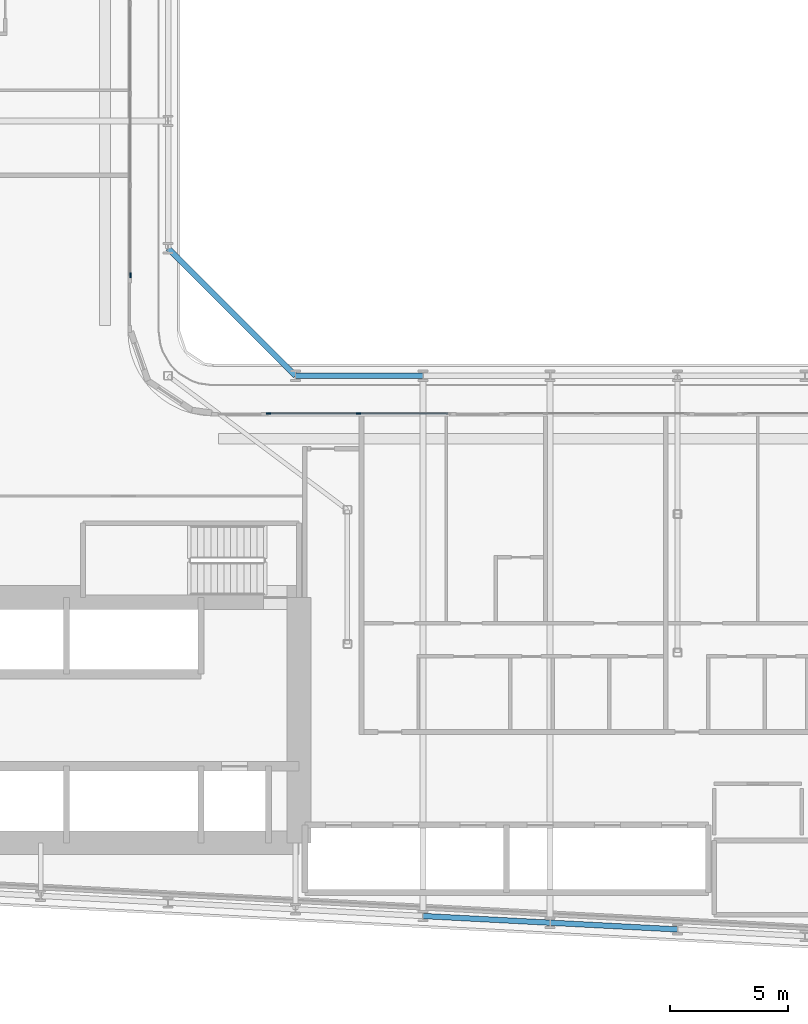
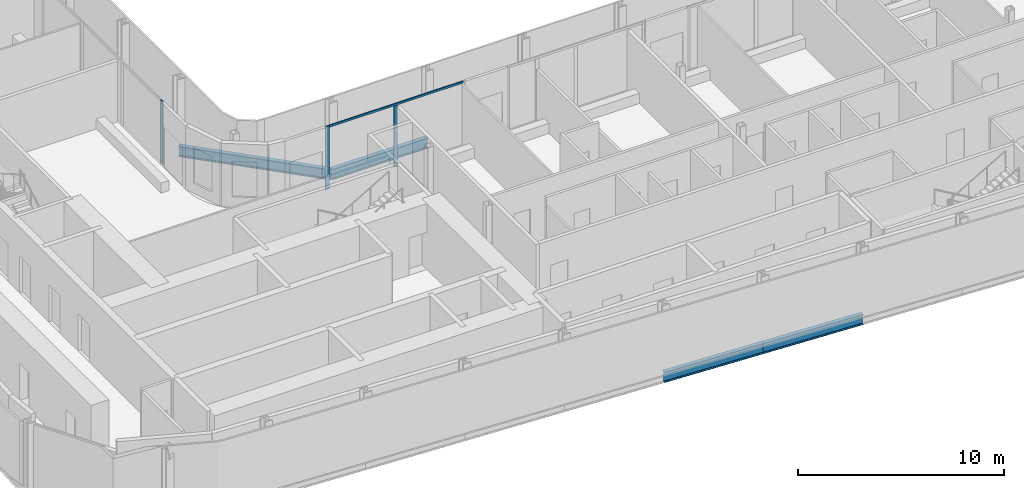
# One storey, part 4 of 27: 4 beams, 4 members, 2 elements without a shape of their own.
"""IFC4 building model written with IfcOpenShell, lengths in metres."""

from ifc_helpers import new_model, si_unit, direction, frame, origin, origin_2d, place, context, subcontext, project, spatial, rectangle, i_section, extrude, material, layer, layer_set, material_profile, profile_set, type_object, element, aggregate, save


model = new_model("IFC4")

# Units and contexts
model_context = context("Model", 3, precision=1e-05, world=origin(), true_north=direction((0.0, 1.0)))
body_context = subcontext(model_context, "Body", "Model", "MODEL_VIEW")
ifc_project = project(units=[si_unit("LENGTHUNIT", "METRE"), si_unit("AREAUNIT", "SQUARE_METRE"), si_unit("VOLUMEUNIT", "CUBIC_METRE"), si_unit("PLANEANGLEUNIT", "RADIAN"), si_unit("MASSUNIT", "GRAM", prefix="KILO")], contexts=[model_context])

# Site, building, storey
site_placement = place(None, origin())
site = spatial("IfcSite", under=ifc_project, at=site_placement, CompositionType="ELEMENT")
building_placement = place(site_placement, origin())
building = spatial("IfcBuilding", under=site, at=building_placement, Name="Kheshtan School and Residences Tower", CompositionType="ELEMENT")
storey_placement = place(building_placement, frame((0.0, 0.0, 53.89990234375)))
storey = spatial("IfcBuildingStorey", under=building, at=storey_placement, Name="L12", CompositionType="ELEMENT", Elevation=53.89990234375)

# Beams
ifc_material_1 = material(Name="Steel ASTM A992 Grade 50", Category="steel")
ifc_material_profile_1 = material_profile(ifc_material_1, i_section(OverallWidth=0.22998046875, OverallDepth=0.616943359375, WebThickness=0.01318359375, FlangeThickness=0.022216796875, FilletRadius=0.0185546875, at=origin_2d()), Name="W610x140")
ifc_profile_set_1 = profile_set([ifc_material_profile_1], Name="Steel ASTM A992 Grade 50")
beam_type = type_object("IfcBeamType", Name="Beam SP1 W610x140 ASTM A992 Grade 50", PredefinedType="BEAM", material=ifc_profile_set_1)
beam_1_placement = place(storey_placement, frame((47.60009765625, 51.0, -0.45849609375), z_axis=(0.707106781187, -0.707106781187, 0.0), x_axis=(0.707106781187, 0.707106781187, 0.0)))
element("IfcBeam", 1, at=beam_1_placement, inside=storey, type_object=beam_type, Name="Spandrel beam C079-C061", PredefinedType="BEAM", context=body_context, shape_type="SweptSolid", body=[
    extrude(i_section(OverallWidth=0.22998046875, OverallDepth=0.616943359375, WebThickness=0.01318359375, FlangeThickness=0.022216796875, FilletRadius=0.0185546875, at=origin_2d()), origin(), (0.0, 0.0, 1.0), 7.63671875),
])
beam_2_placement = place(storey_placement, frame((53.0, 45.60009765625, -0.45849609375), z_axis=(1.0, 0.0, 0.0), x_axis=(0.0, 1.0, 0.0)))
element("IfcBeam", 2, at=beam_2_placement, inside=storey, type_object=beam_type, Name="Spandrel beam C061-C062", PredefinedType="BEAM", context=body_context, shape_type="SweptSolid", body=[
    extrude(i_section(OverallWidth=0.22998046875, OverallDepth=0.616943359375, WebThickness=0.01318359375, FlangeThickness=0.022216796875, FilletRadius=0.0185546875, at=origin_2d()), origin(), (0.0, 0.0, 1.0), 5.39990234375),
])
beam_3_placement = place(storey_placement, frame((69.199951171875, 22.126953125, -0.45849609375), z_axis=(-0.998620447272, 0.05250906864, 0.0), x_axis=(-0.05250906864, -0.998620447272, 0.0)))
element("IfcBeam", 3, at=beam_3_placement, inside=storey, type_object=beam_type, Name="Spandrel beam C014-C016", PredefinedType="BEAM", context=body_context, shape_type="SweptSolid", body=[
    extrude(i_section(OverallWidth=0.22998046875, OverallDepth=0.616943359375, WebThickness=0.01318359375, FlangeThickness=0.022216796875, FilletRadius=0.0185546875, at=origin_2d()), origin(), (0.0, 0.0, 1.0), 5.407470703125),
])
beam_4_placement = place(storey_placement, frame((63.800048828125, 22.410888671875, -0.45849609375), z_axis=(-0.998618203458, 0.052551724256, 0.0), x_axis=(-0.052551724256, -0.998618203458, 0.0)))
element("IfcBeam", 4, at=beam_4_placement, inside=storey, type_object=beam_type, Name="Spandrel beam C016-C018", PredefinedType="BEAM", context=body_context, shape_type="SweptSolid", body=[
    extrude(i_section(OverallWidth=0.22998046875, OverallDepth=0.616943359375, WebThickness=0.01318359375, FlangeThickness=0.022216796875, FilletRadius=0.0185546875, at=origin_2d()), origin(), (0.0, 0.0, 1.0), 5.40771484375),
])

# Curtain wall, member
ifc_material_2 = material(Name="Clear low-e glass in thermally broken aluminium frame", Category="aluminium")
ifc_layer = layer(ifc_material_2, 0.199951171875)
ifc_layer_set = layer_set([ifc_layer], Name="Curtain wall CW-L")
curtain_wall_type = type_object("IfcCurtainWallType", Name="Curtain wall CW-L", PredefinedType="NOTDEFINED", material=ifc_layer_set)
curtain_wall_1_placement = place(storey_placement, origin())
curtain_wall_1 = element("IfcCurtainWall", 5, at=curtain_wall_1_placement, inside=storey, type_object=curtain_wall_type, Name="Curtain wall CWL8", PredefinedType="NOTDEFINED")
ifc_material_3 = material(Name="Thermally broken aluminium, dark bronze anodised", Category="aluminium")
ifc_material_profile_2 = material_profile(ifc_material_3, rectangle(XDim=0.06005859375, YDim=0.199951171875, at=origin_2d()), Name="CW-L mullion 60x200")
ifc_profile_set_2 = profile_set([ifc_material_profile_2], Name="Thermally broken aluminium, dark bronze anodised")
member_type_1 = type_object("IfcMemberType", Name="CW-L mullion 60x200", PredefinedType="MULLION", material=ifc_profile_set_2)
member_1_placement = place(storey_placement, frame((46.0, 49.860107421875, 0.0), z_axis=(0.0, 0.0, 1.0), x_axis=(1.0, 0.0, 0.0)))
member_1 = element("IfcMember", 6, at=member_1_placement, type_object=member_type_1, Name="CWL8 mullion 3", PredefinedType="MULLION", context=body_context, shape_type="SweptSolid", body=[
    extrude(rectangle(XDim=0.06005859375, YDim=0.199951171875, at=origin_2d()), origin(), (0.0, 0.0, 1.0), 3.75),
])
aggregate(curtain_wall_1, [member_1])

# Curtain wall, members
curtain_wall_2_placement = place(storey_placement, origin())
curtain_wall_2 = element("IfcCurtainWall", 7, at=curtain_wall_2_placement, inside=storey, type_object=curtain_wall_type, Name="Curtain wall CWL12j", PredefinedType="NOTDEFINED")
member_2_placement = place(storey_placement, frame((51.860107421875, 44.0, 0.0), z_axis=(0.0, 0.0, 1.0), x_axis=(0.0, 1.0, 0.0)))
member_2 = element("IfcMember", 8, at=member_2_placement, type_object=member_type_1, Name="CWL12j mullion 1", PredefinedType="MULLION", context=body_context, shape_type="SweptSolid", body=[
    extrude(rectangle(XDim=0.06005859375, YDim=0.199951171875, at=origin_2d()), origin(), (0.0, 0.0, 1.0), 3.75),
])
member_3_placement = place(storey_placement, frame((55.677001953125, 44.0, 0.0), z_axis=(0.0, 0.0, 1.0), x_axis=(0.0, 1.0, 0.0)))
member_3 = element("IfcMember", 9, at=member_3_placement, type_object=member_type_1, Name="CWL12j mullion 2", PredefinedType="MULLION", context=body_context, shape_type="SweptSolid", body=[
    extrude(rectangle(XDim=0.06005859375, YDim=0.199951171875, at=origin_2d()), origin(), (0.0, 0.0, 1.0), 3.630126953125),
])
ifc_material_profile_3 = material_profile(ifc_material_3, rectangle(XDim=0.06005859375, YDim=0.1201171875, at=origin_2d()), Name="CW-L transom 60x120")
ifc_profile_set_3 = profile_set([ifc_material_profile_3], Name="Thermally broken aluminium, dark bronze anodised")
member_type_2 = type_object("IfcMemberType", Name="CW-L transom 60x120", PredefinedType="USERDEFINED", material=ifc_profile_set_3)
member_4_placement = place(storey_placement, frame((51.889892578125, 44.0, 3.690185546875), z_axis=(1.0, 0.0, 0.0), x_axis=(0.0, 1.0, 0.0)))
member_4 = element("IfcMember", 10, at=member_4_placement, type_object=member_type_2, Name="CWL12j transom 1", ObjectType="TRANSOM", PredefinedType="USERDEFINED", context=body_context, shape_type="SweptSolid", body=[
    extrude(rectangle(XDim=0.06005859375, YDim=0.1201171875, at=origin_2d()), origin(), (0.0, 0.0, 1.0), 7.57421875),
])
aggregate(curtain_wall_2, [member_2, member_3, member_4])

save(model, "model.ifc")
